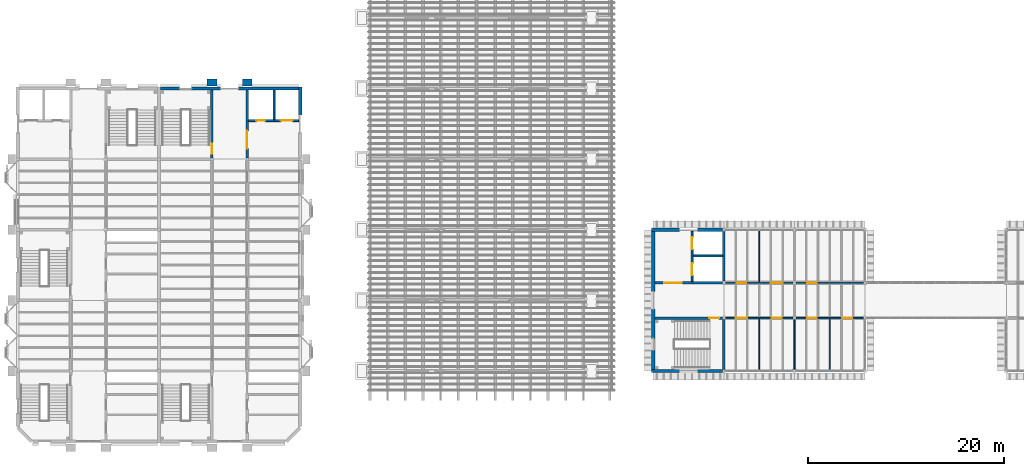
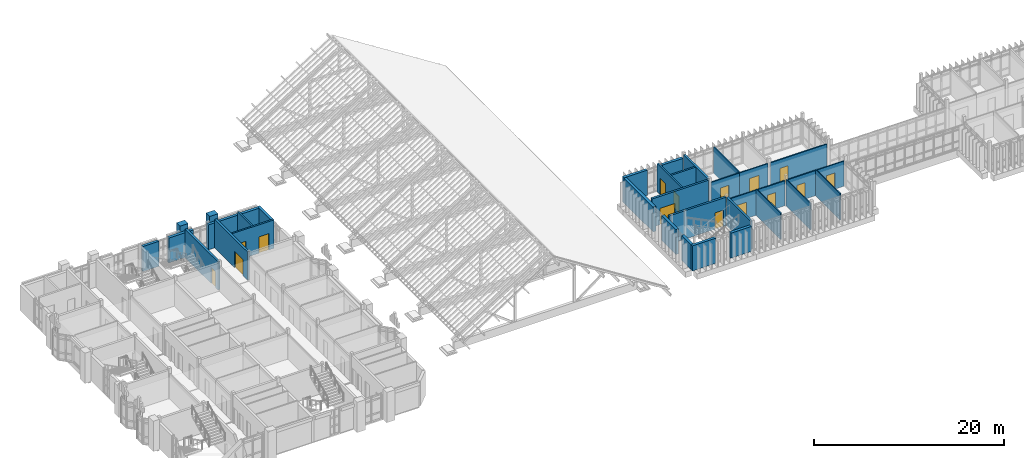
# One storey, part 44 of 71: 34 walls, 15 doors, 15 openings.
"""IFC4 building model written with IfcOpenShell, lengths in metres."""

from ifc_helpers import new_model, si_unit, direction, frame, frame_2d, origin, place, context, subcontext, project, spatial, rectangle, extrude, material, layer, layer_set, type_object, element, fill, save


model = new_model("IFC4")

# Units and contexts
model_context = context("Model", 3, precision=1e-05, world=origin(), true_north=direction((0.0, 1.0)))
body_context = subcontext(model_context, "Body", "Model", "MODEL_VIEW")
ifc_project = project(units=[si_unit("LENGTHUNIT", "METRE"), si_unit("AREAUNIT", "SQUARE_METRE"), si_unit("VOLUMEUNIT", "CUBIC_METRE"), si_unit("PLANEANGLEUNIT", "RADIAN"), si_unit("MASSUNIT", "GRAM", prefix="KILO")], contexts=[model_context])

# Site, building, storey
site_placement = place(None, origin())
site = spatial("IfcSite", under=ifc_project, at=site_placement, CompositionType="ELEMENT")
building_placement = place(site_placement, origin())
building = spatial("IfcBuilding", under=site, at=building_placement, Name="Mazhai Court Health Centre", CompositionType="ELEMENT")
storey_placement = place(building_placement, frame((0.0, 0.0, 10.199951171875)))
storey = spatial("IfcBuildingStorey", under=building, at=storey_placement, Name="L02", CompositionType="ELEMENT", Elevation=10.199951171875)

# Walls
ifc_material_1 = material(Name="Clay brick masonry", Category="masonry")
ifc_layer_1 = layer(ifc_material_1, 0.75)
ifc_layer_set_1 = layer_set([ifc_layer_1], Name="BRICK PIER 750")
wall_type_1 = type_object("IfcWallType", Name="BRICK PIER 750", PredefinedType="SOLIDWALL", material=ifc_layer_set_1)
for number, where, z_axis, x_axis, name in (
    (1, (25.5, 42.824951171875, 0.0), (0.0, 0.0, 1.0), (1.0, 0.0, 0.0), "EP-V5-L02-E54"),
    (2, (29.10009765625, 42.824951171875, 0.0), (0.0, 0.0, 1.0), (1.0, 0.0, 0.0), "EP-V5-L02-E90"),
):
    element("IfcWall", number, at=place(storey_placement, frame(where, z_axis=z_axis, x_axis=x_axis)), inside=storey, type_object=wall_type_1, Name=name, PredefinedType="SOLIDWALL", context=body_context, shape_type="SweptSolid", body=[
        extrude(rectangle(XDim=1.0, YDim=0.75, at=frame_2d((0.5, 0.0))), origin(), (0.0, 0.0, 1.0), 3.900146484375),
    ])
ifc_material_2 = material(Name="Clay brick masonry", Category="masonry")
ifc_layer_2 = layer(ifc_material_2, 0.330078125)
ifc_layer_set_2 = layer_set([ifc_layer_2], Name="BRICK WALL 330 EXTERNAL")
wall_type_2 = type_object("IfcWallType", Name="BRICK WALL 330 EXTERNAL", PredefinedType="SOLIDWALL", material=ifc_layer_set_2)
wall_1_placement = place(storey_placement, frame((35.0, 42.364990234375, 0.0), z_axis=(0.0, 0.0, 1.0), x_axis=(0.0, -1.0, 0.0)))
element("IfcWall", 3, at=wall_1_placement, inside=storey, type_object=wall_type_2, Name="EW-V5-L02-B4b", PredefinedType="SOLIDWALL", context=body_context, shape_type="SweptSolid", body=[
    extrude(rectangle(XDim=2.864990234375, YDim=0.330078125, at=frame_2d((1.4326171875, 0.0))), origin(), (0.0, 0.0, 1.0), 3.219970703125),
])
wall_2_placement = place(storey_placement, frame((20.764892578125, 42.199951171875, 0.0), z_axis=(0.0, 0.0, 1.0), x_axis=(1.0, 0.0, 0.0)))
element("IfcWall", 4, at=wall_2_placement, inside=storey, type_object=wall_type_2, Name="EW-V5-L02-Ep0", PredefinedType="SOLIDWALL", context=body_context, shape_type="SweptSolid", body=[
    extrude(rectangle(XDim=1.955078125, YDim=0.330078125, at=frame_2d((0.9775390625, 0.0))), origin(), (0.0, 0.0, 1.0), 3.199951171875),
])
wall_3_placement = place(storey_placement, frame((23.919921875, 42.199951171875, 0.0), z_axis=(0.0, 0.0, 1.0), x_axis=(1.0, 0.0, 0.0)))
element("IfcWall", 5, at=wall_3_placement, inside=storey, type_object=wall_type_2, Name="EW-V5-L02-Ep1", PredefinedType="SOLIDWALL", context=body_context, shape_type="SweptSolid", body=[
    extrude(rectangle(XDim=2.97998046875, YDim=0.330078125, at=frame_2d((1.489990234375, 0.0))), origin(), (0.0, 0.0, 1.0), 3.199951171875),
])
wall_4_placement = place(storey_placement, frame((28.699951171875, 42.199951171875, 0.0), z_axis=(0.0, 0.0, 1.0), x_axis=(1.0, 0.0, 0.0)))
element("IfcWall", 6, at=wall_4_placement, inside=storey, type_object=wall_type_2, Name="EW-V5-L02-Ep2", PredefinedType="SOLIDWALL", context=body_context, shape_type="SweptSolid", body=[
    extrude(rectangle(XDim=6.135009765625, YDim=0.330078125, at=frame_2d((3.0673828125, 0.0))), origin(), (0.0, 0.0, 1.0), 3.199951171875),
])
wall_5_placement = place(storey_placement, frame((73.699951171875, 13.39990234375, 0.0), z_axis=(0.0, 0.0, 1.0), x_axis=(-1.0, 0.0, 0.0)))
element("IfcWall", 7, at=wall_5_placement, inside=storey, type_object=wall_type_2, Name="EW-V4-L02-A0a", PredefinedType="SOLIDWALL", context=body_context, shape_type="SweptSolid", body=[
    extrude(rectangle(XDim=2.864990234375, YDim=0.330078125, at=frame_2d((1.4326171875, 0.0))), origin(), (0.0, 0.0, 1.0), 3.219970703125),
])
wall_6_placement = place(storey_placement, frame((78.0400390625, 13.39990234375, 0.0), z_axis=(0.0, 0.0, 1.0), x_axis=(-1.0, 0.0, 0.0)))
element("IfcWall", 8, at=wall_6_placement, inside=storey, type_object=wall_type_2, Name="EW-V4-L02-A0b", PredefinedType="SOLIDWALL", context=body_context, shape_type="SweptSolid", body=[
    extrude(rectangle(XDim=2.5400390625, YDim=0.330078125, at=frame_2d((1.27001953125, 0.0))), origin(), (0.0, 0.0, 1.0), 3.219970703125),
])
wall_7_placement = place(storey_placement, frame((70.8349609375, 27.800048828125, 0.0), z_axis=(0.0, 0.0, 1.0), x_axis=(1.0, 0.0, 0.0)))
element("IfcWall", 9, at=wall_7_placement, inside=storey, type_object=wall_type_2, Name="EW-V4-L02-B0a", PredefinedType="SOLIDWALL", context=body_context, shape_type="SweptSolid", body=[
    extrude(rectangle(XDim=2.864990234375, YDim=0.330078125, at=frame_2d((1.4326171875, 0.0))), origin(), (0.0, 0.0, 1.0), 3.219970703125),
])
wall_8_placement = place(storey_placement, frame((75.5, 27.800048828125, 0.0), z_axis=(0.0, 0.0, 1.0), x_axis=(1.0, 0.0, 0.0)))
element("IfcWall", 10, at=wall_8_placement, inside=storey, type_object=wall_type_2, Name="EW-V4-L02-B0b", PredefinedType="SOLIDWALL", context=body_context, shape_type="SweptSolid", body=[
    extrude(rectangle(XDim=2.5400390625, YDim=0.330078125, at=frame_2d((1.27001953125, 0.0))), origin(), (0.0, 0.0, 1.0), 3.219970703125),
])
wall_9_placement = place(storey_placement, frame((71.0, 13.56494140625, 0.0), z_axis=(0.0, 0.0, 1.0), x_axis=(0.0, 1.0, 0.0)))
element("IfcWall", 11, at=wall_9_placement, inside=storey, type_object=wall_type_2, Name="EW-V4-L02-Sp0", PredefinedType="SOLIDWALL", context=body_context, shape_type="SweptSolid", body=[
    extrude(rectangle(XDim=1.955078125, YDim=0.330078125, at=frame_2d((0.9775390625, 0.0))), origin(), (0.0, 0.0, 1.0), 3.199951171875),
])
wall_10_placement = place(storey_placement, frame((71.0, 16.719970703125, 0.0), z_axis=(0.0, 0.0, 1.0), x_axis=(0.0, 1.0, 0.0)))
element("IfcWall", 12, at=wall_10_placement, inside=storey, type_object=wall_type_2, Name="EW-V4-L02-Sp1", PredefinedType="SOLIDWALL", context=body_context, shape_type="SweptSolid", body=[
    extrude(rectangle(XDim=2.97998046875, YDim=0.330078125, at=frame_2d((1.489990234375, 0.0))), origin(), (0.0, 0.0, 1.0), 3.199951171875),
])
wall_11_placement = place(storey_placement, frame((71.0, 21.5, 0.0), z_axis=(0.0, 0.0, 1.0), x_axis=(0.0, 1.0, 0.0)))
element("IfcWall", 13, at=wall_11_placement, inside=storey, type_object=wall_type_2, Name="EW-V4-L02-Sp2", PredefinedType="SOLIDWALL", context=body_context, shape_type="SweptSolid", body=[
    extrude(rectangle(XDim=6.135009765625, YDim=0.330078125, at=frame_2d((3.0673828125, 0.0))), origin(), (0.0, 0.0, 1.0), 3.199951171875),
])
ifc_material_3 = material(Name="Gypsum plasterboard partition")
ifc_layer_3 = layer(ifc_material_3, 0.125)
ifc_layer_set_3 = layer_set([ifc_layer_3], Name="PARTITION 125 STUD EI30")
wall_type_3 = type_object("IfcWallType", Name="PARTITION 125 STUD EI30", PredefinedType="PARTITIONING", material=ifc_layer_set_3)
wall_12_placement = place(storey_placement, frame((81.800048828125, 13.56494140625, 0.0), z_axis=(0.0, 0.0, 1.0), x_axis=(0.0, 1.0, 0.0)))
element("IfcWall", 14, at=wall_12_placement, inside=storey, type_object=wall_type_3, Name="wall-V4-L02-A0-cross-1a", PredefinedType="PARTITIONING", context=body_context, shape_type="SweptSolid", body=[
    extrude(rectangle(XDim=5.16015625, YDim=0.125, at=frame_2d((2.580078125, 0.0))), origin(), (0.0, 0.0, 1.0), 3.380126953125),
])
wall_13_placement = place(storey_placement, frame((85.39990234375, 13.56494140625, 0.0), z_axis=(0.0, 0.0, 1.0), x_axis=(0.0, 1.0, 0.0)))
element("IfcWall", 15, at=wall_13_placement, inside=storey, type_object=wall_type_3, Name="wall-V4-L02-A0-cross-2a", PredefinedType="PARTITIONING", context=body_context, shape_type="SweptSolid", body=[
    extrude(rectangle(XDim=5.074951171875, YDim=0.125, at=frame_2d((2.53759765625, 0.0))), origin(), (0.0, 0.0, 1.0), 3.380126953125),
])
wall_14_placement = place(storey_placement, frame((89.0, 13.56494140625, 0.0), z_axis=(0.0, 0.0, 1.0), x_axis=(0.0, 1.0, 0.0)))
element("IfcWall", 16, at=wall_14_placement, inside=storey, type_object=wall_type_3, Name="wall-V4-L02-A0-cross-3a", PredefinedType="PARTITIONING", context=body_context, shape_type="SweptSolid", body=[
    extrude(rectangle(XDim=5.16015625, YDim=0.125, at=frame_2d((2.580078125, 0.0))), origin(), (0.0, 0.0, 1.0), 3.380126953125),
])
wall_15_placement = place(storey_placement, frame((81.800048828125, 27.635009765625, 0.0), z_axis=(0.0, 0.0, 1.0), x_axis=(0.0, -1.0, 0.0)))
element("IfcWall", 17, at=wall_15_placement, inside=storey, type_object=wall_type_3, Name="wall-V4-L02-B0-cross-1a", PredefinedType="PARTITIONING", context=body_context, shape_type="SweptSolid", body=[
    extrude(rectangle(XDim=5.159912109375, YDim=0.125, at=frame_2d((2.580078125, 0.0))), origin(), (0.0, 0.0, 1.0), 3.380126953125),
])

# Wall, opening, door
ifc_material_4 = material(Name="Gypsum plasterboard partition")
ifc_layer_4 = layer(ifc_material_4, 0.14990234375)
ifc_layer_set_4 = layer_set([ifc_layer_4], Name="PARTITION 150 CORRIDOR EI60")
wall_type_4 = type_object("IfcWallType", Name="PARTITION 150 CORRIDOR EI60", PredefinedType="PARTITIONING", material=ifc_layer_set_4)
wall_16_placement = place(storey_placement, frame((81.800048828125, 18.800048828125, 0.0), z_axis=(0.0, 0.0, 1.0), x_axis=(-1.0, 0.0, 0.0)))
wall_16 = element("IfcWall", 18, at=wall_16_placement, inside=storey, type_object=wall_type_4, Name="wall-V4-L02-A0-corr-0a", PredefinedType="PARTITIONING", context=body_context, shape_type="SweptSolid", body=[
    extrude(rectangle(XDim=3.43994140625, YDim=0.14990234375, at=frame_2d((1.719970703125, 0.0))), origin(), (0.0, 0.0, 1.0), 3.219970703125),
])
opening_1_placement = place(wall_16_placement, frame((1.199951171875, 0.0, 0.0)))
opening_1 = element("IfcOpeningElement", 19, at=opening_1_placement, cuts=wall_16, Name="Opening D-L02-038", PredefinedType="OPENING", context=body_context, shape_type="SweptSolid", body=[
    extrude(rectangle(XDim=1.199951171875, YDim=2.10009765625, at=frame_2d((0.60009765625, 1.050048828125))), frame((0.0, 0.0849609375, 0.0), z_axis=(0.0, -1.0, 0.0), x_axis=(1.0, 0.0, 0.0)), (0.0, 0.0, 1.0), 0.169921875),
])
ifc_material_5 = material(Name="Hardwood door leaf", Category="wood")
door_type_1 = type_object("IfcDoorType", Name="DOOR 1200x2100 FD30S WIDE SINGLE", OperationType="NOTDEFINED", PredefinedType="DOOR", material=ifc_material_5)
door_1_placement = place(opening_1_placement, origin())
door_1 = element("IfcDoor", 20, at=door_1_placement, inside=storey, type_object=door_type_1, Name="door-V4-L02-A0-cardiology-clinic", OperationType="SINGLE_SWING_RIGHT", OverallHeight=2.10009765625, OverallWidth=1.199951171875, PredefinedType="DOOR", context=body_context, shape_type="SweptSolid", body=[
    extrude(rectangle(XDim=1.199951171875, YDim=2.10009765625, at=frame_2d((0.60009765625, 1.050048828125))), frame((0.0, 0.02490234375, 0.0), z_axis=(0.0, -1.0, 0.0), x_axis=(1.0, 0.0, 0.0)), (0.0, 0.0, 1.0), 0.050048828125),
])
fill(opening_1, door_1)

wall_17_placement = place(storey_placement, frame((85.239990234375, 18.800048828125, 0.0), z_axis=(0.0, 0.0, 1.0), x_axis=(-1.0, 0.0, 0.0)))
wall_17 = element("IfcWall", 21, at=wall_17_placement, inside=storey, type_object=wall_type_4, Name="wall-V4-L02-A0-corr-1a", PredefinedType="PARTITIONING", context=body_context, shape_type="SweptSolid", body=[
    extrude(rectangle(XDim=3.43994140625, YDim=0.14990234375, at=frame_2d((1.719970703125, 0.0))), origin(), (0.0, 0.0, 1.0), 3.219970703125),
])
opening_2_placement = place(wall_17_placement, frame((1.139892578125, 0.0, 0.0)))
opening_2 = element("IfcOpeningElement", 22, at=opening_2_placement, cuts=wall_17, Name="Opening D-L02-040", PredefinedType="OPENING", context=body_context, shape_type="SweptSolid", body=[
    extrude(rectangle(XDim=1.0, YDim=2.10009765625, at=frame_2d((0.5, 1.050048828125))), frame((0.0, 0.0849609375, 0.0), z_axis=(0.0, -1.0, 0.0), x_axis=(1.0, 0.0, 0.0)), (0.0, 0.0, 1.0), 0.169921875),
])
ifc_material_6 = material(Name="Hardwood door leaf", Category="wood")
door_type_2 = type_object("IfcDoorType", Name="DOOR 1000x2100 FD30S SINGLE", OperationType="NOTDEFINED", PredefinedType="DOOR", material=ifc_material_6)
door_2_placement = place(opening_2_placement, origin())
door_2 = element("IfcDoor", 23, at=door_2_placement, inside=storey, type_object=door_type_2, Name="door-V4-L02-A0-diabetology-clinic", OperationType="SINGLE_SWING_LEFT", OverallHeight=2.10009765625, OverallWidth=1.0, PredefinedType="DOOR", context=body_context, shape_type="SweptSolid", body=[
    extrude(rectangle(XDim=1.0, YDim=2.10009765625, at=frame_2d((0.5, 1.050048828125))), frame((0.0, 0.02490234375, 0.0), z_axis=(0.0, -1.0, 0.0), x_axis=(1.0, 0.0, 0.0)), (0.0, 0.0, 1.0), 0.050048828125),
])
fill(opening_2, door_2)

wall_18_placement = place(storey_placement, frame((89.0, 18.800048828125, 0.0), z_axis=(0.0, 0.0, 1.0), x_axis=(-1.0, 0.0, 0.0)))
wall_18 = element("IfcWall", 24, at=wall_18_placement, inside=storey, type_object=wall_type_4, Name="wall-V4-L02-A0-corr-2a", PredefinedType="PARTITIONING", context=body_context, shape_type="SweptSolid", body=[
    extrude(rectangle(XDim=3.43994140625, YDim=0.14990234375, at=frame_2d((1.719970703125, 0.0))), origin(), (0.0, 0.0, 1.0), 3.219970703125),
])
opening_3_placement = place(wall_18_placement, frame((1.300048828125, 0.0, 0.0)))
opening_3 = element("IfcOpeningElement", 25, at=opening_3_placement, cuts=wall_18, Name="Opening D-L02-042", PredefinedType="OPENING", context=body_context, shape_type="SweptSolid", body=[
    extrude(rectangle(XDim=1.0, YDim=2.10009765625, at=frame_2d((0.5, 1.050048828125))), frame((0.0, 0.0849609375, 0.0), z_axis=(0.0, -1.0, 0.0), x_axis=(1.0, 0.0, 0.0)), (0.0, 0.0, 1.0), 0.169921875),
])
door_3_placement = place(opening_3_placement, origin())
door_3 = element("IfcDoor", 26, at=door_3_placement, inside=storey, type_object=door_type_2, Name="door-V4-L02-A0-ent-clinic", OperationType="SINGLE_SWING_RIGHT", OverallHeight=2.10009765625, OverallWidth=1.0, PredefinedType="DOOR", context=body_context, shape_type="SweptSolid", body=[
    extrude(rectangle(XDim=1.0, YDim=2.10009765625, at=frame_2d((0.5, 1.050048828125))), frame((0.0, 0.02490234375, 0.0), z_axis=(0.0, -1.0, 0.0), x_axis=(1.0, 0.0, 0.0)), (0.0, 0.0, 1.0), 0.050048828125),
])
fill(opening_3, door_3)

wall_19_placement = place(storey_placement, frame((92.43505859375, 18.800048828125, 0.0), z_axis=(0.0, 0.0, 1.0), x_axis=(-1.0, 0.0, 0.0)))
wall_19 = element("IfcWall", 27, at=wall_19_placement, inside=storey, type_object=wall_type_4, Name="wall-V4-L02-A0-corr-3a", PredefinedType="PARTITIONING", context=body_context, shape_type="SweptSolid", body=[
    extrude(rectangle(XDim=3.43505859375, YDim=0.14990234375, at=frame_2d((1.717529296875, 0.0))), origin(), (0.0, 0.0, 1.0), 3.219970703125),
])
opening_4_placement = place(wall_19_placement, frame((1.135009765625, 0.0, 0.0)))
opening_4 = element("IfcOpeningElement", 28, at=opening_4_placement, cuts=wall_19, Name="Opening D-L02-044", PredefinedType="OPENING", context=body_context, shape_type="SweptSolid", body=[
    extrude(rectangle(XDim=1.0, YDim=2.10009765625, at=frame_2d((0.5, 1.050048828125))), frame((0.0, 0.0849609375, 0.0), z_axis=(0.0, -1.0, 0.0), x_axis=(1.0, 0.0, 0.0)), (0.0, 0.0, 1.0), 0.169921875),
])
door_4_placement = place(opening_4_placement, origin())
door_4 = element("IfcDoor", 29, at=door_4_placement, inside=storey, type_object=door_type_2, Name="door-V4-L02-A0-audiology-room", OperationType="SINGLE_SWING_LEFT", OverallHeight=2.10009765625, OverallWidth=1.0, PredefinedType="DOOR", context=body_context, shape_type="SweptSolid", body=[
    extrude(rectangle(XDim=1.0, YDim=2.10009765625, at=frame_2d((0.5, 1.050048828125))), frame((0.0, 0.02490234375, 0.0), z_axis=(0.0, -1.0, 0.0), x_axis=(1.0, 0.0, 0.0)), (0.0, 0.0, 1.0), 0.050048828125),
])
fill(opening_4, door_4)

wall_20_placement = place(storey_placement, frame((78.360107421875, 22.39990234375, 0.0), z_axis=(0.0, 0.0, 1.0), x_axis=(1.0, 0.0, 0.0)))
wall_20 = element("IfcWall", 30, at=wall_20_placement, inside=storey, type_object=wall_type_4, Name="wall-V4-L02-B0-corr-0a", PredefinedType="PARTITIONING", context=body_context, shape_type="SweptSolid", body=[
    extrude(rectangle(XDim=3.43994140625, YDim=0.14990234375, at=frame_2d((1.719970703125, 0.0))), origin(), (0.0, 0.0, 1.0), 3.219970703125),
])
opening_5_placement = place(wall_20_placement, frame((1.139892578125, 0.0, 0.0)))
opening_5 = element("IfcOpeningElement", 31, at=opening_5_placement, cuts=wall_20, Name="Opening D-L02-039", PredefinedType="OPENING", context=body_context, shape_type="SweptSolid", body=[
    extrude(rectangle(XDim=1.0, YDim=2.10009765625, at=frame_2d((0.5, 1.050048828125))), frame((0.0, 0.0849609375, 0.0), z_axis=(0.0, -1.0, 0.0), x_axis=(1.0, 0.0, 0.0)), (0.0, 0.0, 1.0), 0.169921875),
])
door_5_placement = place(opening_5_placement, origin())
door_5 = element("IfcDoor", 32, at=door_5_placement, inside=storey, type_object=door_type_2, Name="door-V4-L02-B0-gastroenterology-clinic", OperationType="SINGLE_SWING_LEFT", OverallHeight=2.10009765625, OverallWidth=1.0, PredefinedType="DOOR", context=body_context, shape_type="SweptSolid", body=[
    extrude(rectangle(XDim=1.0, YDim=2.10009765625, at=frame_2d((0.5, 1.050048828125))), frame((0.0, 0.02490234375, 0.0), z_axis=(0.0, -1.0, 0.0), x_axis=(1.0, 0.0, 0.0)), (0.0, 0.0, 1.0), 0.050048828125),
])
fill(opening_5, door_5)

wall_21_placement = place(storey_placement, frame((81.800048828125, 22.39990234375, 0.0), z_axis=(0.0, 0.0, 1.0), x_axis=(1.0, 0.0, 0.0)))
wall_21 = element("IfcWall", 33, at=wall_21_placement, inside=storey, type_object=wall_type_4, Name="wall-V4-L02-B0-corr-1a", PredefinedType="PARTITIONING", context=body_context, shape_type="SweptSolid", body=[
    extrude(rectangle(XDim=3.43994140625, YDim=0.14990234375, at=frame_2d((1.719970703125, 0.0))), origin(), (0.0, 0.0, 1.0), 3.219970703125),
])
opening_6_placement = place(wall_21_placement, frame((1.199951171875, 0.0, 0.0)))
opening_6 = element("IfcOpeningElement", 34, at=opening_6_placement, cuts=wall_21, Name="Opening D-L02-041", PredefinedType="OPENING", context=body_context, shape_type="SweptSolid", body=[
    extrude(rectangle(XDim=1.199951171875, YDim=2.10009765625, at=frame_2d((0.60009765625, 1.050048828125))), frame((0.0, 0.0849609375, 0.0), z_axis=(0.0, -1.0, 0.0), x_axis=(1.0, 0.0, 0.0)), (0.0, 0.0, 1.0), 0.169921875),
])
door_6_placement = place(opening_6_placement, origin())
door_6 = element("IfcDoor", 35, at=door_6_placement, inside=storey, type_object=door_type_1, Name="door-V4-L02-B0-minor-procedure-room", OperationType="SINGLE_SWING_RIGHT", OverallHeight=2.10009765625, OverallWidth=1.199951171875, PredefinedType="DOOR", context=body_context, shape_type="SweptSolid", body=[
    extrude(rectangle(XDim=1.199951171875, YDim=2.10009765625, at=frame_2d((0.60009765625, 1.050048828125))), frame((0.0, 0.02490234375, 0.0), z_axis=(0.0, -1.0, 0.0), x_axis=(1.0, 0.0, 0.0)), (0.0, 0.0, 1.0), 0.050048828125),
])
fill(opening_6, door_6)

wall_22_placement = place(storey_placement, frame((85.56005859375, 22.39990234375, 0.0), z_axis=(0.0, 0.0, 1.0), x_axis=(1.0, 0.0, 0.0)))
wall_22 = element("IfcWall", 36, at=wall_22_placement, inside=storey, type_object=wall_type_4, Name="wall-V4-L02-B0-corr-2a", PredefinedType="PARTITIONING", context=body_context, shape_type="SweptSolid", body=[
    extrude(rectangle(XDim=6.875, YDim=0.14990234375, at=frame_2d((3.4375, 0.0))), origin(), (0.0, 0.0, 1.0), 3.219970703125),
])
opening_7_placement = place(wall_22_placement, frame((1.139892578125, 0.0, 0.0)))
opening_7 = element("IfcOpeningElement", 37, at=opening_7_placement, cuts=wall_22, Name="Opening D-L02-043", PredefinedType="OPENING", context=body_context, shape_type="SweptSolid", body=[
    extrude(rectangle(XDim=1.0, YDim=2.10009765625, at=frame_2d((0.5, 1.050048828125))), frame((0.0, 0.0849609375, 0.0), z_axis=(0.0, -1.0, 0.0), x_axis=(1.0, 0.0, 0.0)), (0.0, 0.0, 1.0), 0.169921875),
])
door_7_placement = place(opening_7_placement, origin())
door_7 = element("IfcDoor", 38, at=door_7_placement, inside=storey, type_object=door_type_2, Name="door-V4-L02-B0-specialist-nurse-base", OperationType="SINGLE_SWING_LEFT", OverallHeight=2.10009765625, OverallWidth=1.0, PredefinedType="DOOR", context=body_context, shape_type="SweptSolid", body=[
    extrude(rectangle(XDim=1.0, YDim=2.10009765625, at=frame_2d((0.5, 1.050048828125))), frame((0.0, 0.02490234375, 0.0), z_axis=(0.0, -1.0, 0.0), x_axis=(1.0, 0.0, 0.0)), (0.0, 0.0, 1.0), 0.050048828125),
])
fill(opening_7, door_7)

ifc_material_7 = material(Name="Concrete M40", Category="concrete")
ifc_layer_5 = layer(ifc_material_7, 0.25)
ifc_layer_set_5 = layer_set([ifc_layer_5], Name="RC CORE WALL 250 M40")
wall_type_5 = type_object("IfcWallType", Name="RC CORE WALL 250 M40", PredefinedType="SHEAR", material=ifc_layer_set_5)
wall_23_placement = place(storey_placement, frame((26.0, 35.139892578125, 0.0), z_axis=(0.0, 0.0, 1.0), x_axis=(0.0, 1.0, 0.0)))
wall_23 = element("IfcWall", 39, at=wall_23_placement, inside=storey, type_object=wall_type_5, Name="core-C5-w-stair-corr-L02", PredefinedType="SHEAR", context=body_context, shape_type="SweptSolid", body=[
    extrude(rectangle(XDim=6.89501953125, YDim=0.25, at=frame_2d((3.447509765625, 0.0))), origin(), (0.0, 0.0, 1.0), 3.650146484375),
])
opening_8_placement = place(wall_23_placement, frame((0.43505859375, 0.0, 0.0)))
opening_8 = element("IfcOpeningElement", 40, at=opening_8_placement, cuts=wall_23, Name="Opening D-L02-024", PredefinedType="OPENING", context=body_context, shape_type="SweptSolid", body=[
    extrude(rectangle(XDim=1.0, YDim=2.10009765625, at=frame_2d((0.5, 1.050048828125))), frame((0.0, 0.135009765625, 0.0), z_axis=(0.0, -1.0, 0.0), x_axis=(1.0, 0.0, 0.0)), (0.0, 0.0, 1.0), 0.27001953125),
])
ifc_material_8 = material(Name="Steel fire door leaf", Category="steel")
door_type_3 = type_object("IfcDoorType", Name="FD120S STAIR DOOR 1000x2100", OperationType="SINGLE_SWING_LEFT", PredefinedType="DOOR", material=ifc_material_8)
door_8_placement = place(opening_8_placement, origin())
door_8 = element("IfcDoor", 41, at=door_8_placement, inside=storey, type_object=door_type_3, Name="Stair 5 door L02", OperationType="SINGLE_SWING_LEFT", OverallHeight=2.10009765625, OverallWidth=1.0, PredefinedType="DOOR", context=body_context, shape_type="SweptSolid", body=[
    extrude(rectangle(XDim=1.0, YDim=2.10009765625, at=frame_2d((0.5, 1.050048828125))), frame((0.0, 0.02490234375, 0.0), z_axis=(0.0, -1.0, 0.0), x_axis=(1.0, 0.0, 0.0)), (0.0, 0.0, 1.0), 0.050048828125),
])
fill(opening_8, door_8)

wall_24_placement = place(storey_placement, frame((29.60009765625, 35.139892578125, 0.0), z_axis=(0.0, 0.0, 1.0), x_axis=(0.0, 1.0, 0.0)))
wall_24 = element("IfcWall", 42, at=wall_24_placement, inside=storey, type_object=wall_type_5, Name="core-C5-w-other-corr-L02", PredefinedType="SHEAR", context=body_context, shape_type="SweptSolid", body=[
    extrude(rectangle(XDim=6.89501953125, YDim=0.25, at=frame_2d((3.447509765625, 0.0))), origin(), (0.0, 0.0, 1.0), 3.650146484375),
])
opening_9_placement = place(wall_24_placement, frame((0.93994140625, 0.0, 0.0)))
opening_9 = element("IfcOpeningElement", 43, at=opening_9_placement, cuts=wall_24, Name="Opening D-L02-035", PredefinedType="OPENING", context=body_context, shape_type="SweptSolid", body=[
    extrude(rectangle(XDim=1.800048828125, YDim=2.10009765625, at=frame_2d((0.89990234375, 1.050048828125))), frame((0.0, 0.135009765625, 0.0), z_axis=(0.0, -1.0, 0.0), x_axis=(1.0, 0.0, 0.0)), (0.0, 0.0, 1.0), 0.27001953125),
])
ifc_material_9 = material(Name="Steel fire door leaf", Category="steel")
door_type_4 = type_object("IfcDoorType", Name="FD60S LIFT LOBBY DOOR 1800x2100", OperationType="DOUBLE_DOOR_SINGLE_SWING", PredefinedType="DOOR", material=ifc_material_9)
door_9_placement = place(opening_9_placement, origin())
door_9 = element("IfcDoor", 44, at=door_9_placement, inside=storey, type_object=door_type_4, Name="Lift lobby door L02", OperationType="DOUBLE_DOOR_SINGLE_SWING", OverallHeight=2.10009765625, OverallWidth=1.800048828125, PredefinedType="DOOR", context=body_context, shape_type="SweptSolid", body=[
    extrude(rectangle(XDim=1.800048828125, YDim=2.10009765625, at=frame_2d((0.89990234375, 1.050048828125))), frame((0.0, 0.02490234375, 0.0), z_axis=(0.0, -1.0, 0.0), x_axis=(1.0, 0.0, 0.0)), (0.0, 0.0, 1.0), 0.050048828125),
])
fill(opening_9, door_9)

wall_25_placement = place(storey_placement, frame((71.1650390625, 18.800048828125, 0.0), z_axis=(0.0, 0.0, 1.0), x_axis=(1.0, 0.0, 0.0)))
wall_25 = element("IfcWall", 45, at=wall_25_placement, inside=storey, type_object=wall_type_5, Name="core-C6-w-stair-corr-L02", PredefinedType="SHEAR", context=body_context, shape_type="SweptSolid", body=[
    extrude(rectangle(XDim=6.875, YDim=0.25, at=frame_2d((3.4375, 0.0))), origin(), (0.0, 0.0, 1.0), 3.650146484375),
])
opening_10_placement = place(wall_25_placement, frame((5.56005859375, 0.0, 0.0)))
opening_10 = element("IfcOpeningElement", 46, at=opening_10_placement, cuts=wall_25, Name="Opening D-L02-037", PredefinedType="OPENING", context=body_context, shape_type="SweptSolid", body=[
    extrude(rectangle(XDim=1.0, YDim=2.10009765625, at=frame_2d((0.5, 1.050048828125))), frame((0.0, 0.135009765625, 0.0), z_axis=(0.0, -1.0, 0.0), x_axis=(1.0, 0.0, 0.0)), (0.0, 0.0, 1.0), 0.27001953125),
])
door_10_placement = place(opening_10_placement, origin())
door_10 = element("IfcDoor", 47, at=door_10_placement, inside=storey, type_object=door_type_3, Name="Stair 6 door L02", OperationType="SINGLE_SWING_RIGHT", OverallHeight=2.10009765625, OverallWidth=1.0, PredefinedType="DOOR", context=body_context, shape_type="SweptSolid", body=[
    extrude(rectangle(XDim=1.0, YDim=2.10009765625, at=frame_2d((0.5, 1.050048828125))), frame((0.0, 0.02490234375, 0.0), z_axis=(0.0, -1.0, 0.0), x_axis=(1.0, 0.0, 0.0)), (0.0, 0.0, 1.0), 0.050048828125),
])
fill(opening_10, door_10)

# Wall
wall_26_placement = place(storey_placement, frame((78.199951171875, 13.56005859375, 0.0), z_axis=(0.0, 0.0, 1.0), x_axis=(0.0, 1.0, 0.0)))
element("IfcWall", 48, at=wall_26_placement, inside=storey, type_object=wall_type_5, Name="core-C6-w-stair-line0-L02", PredefinedType="SHEAR", context=body_context, shape_type="SweptSolid", body=[
    extrude(rectangle(XDim=5.079833984375, YDim=0.25, at=frame_2d((2.5400390625, 0.0))), origin(), (0.0, 0.0, 1.0), 3.650146484375),
])

# Wall, opening, door
wall_27_placement = place(storey_placement, frame((71.1650390625, 22.39990234375, 0.0), z_axis=(0.0, 0.0, 1.0), x_axis=(1.0, 0.0, 0.0)))
wall_27 = element("IfcWall", 49, at=wall_27_placement, inside=storey, type_object=wall_type_5, Name="core-C6-w-other-corr-L02", PredefinedType="SHEAR", context=body_context, shape_type="SweptSolid", body=[
    extrude(rectangle(XDim=6.875, YDim=0.25, at=frame_2d((3.4375, 0.0))), origin(), (0.0, 0.0, 1.0), 3.650146484375),
])
opening_11_placement = place(wall_27_placement, frame((0.955078125, 0.0, 0.0)))
opening_11 = element("IfcOpeningElement", 50, at=opening_11_placement, cuts=wall_27, Name="Opening D-L02-036", PredefinedType="OPENING", context=body_context, shape_type="SweptSolid", body=[
    extrude(rectangle(XDim=1.800048828125, YDim=2.10009765625, at=frame_2d((0.89990234375, 1.050048828125))), frame((0.0, 0.135009765625, 0.0), z_axis=(0.0, -1.0, 0.0), x_axis=(1.0, 0.0, 0.0)), (0.0, 0.0, 1.0), 0.27001953125),
])
door_11_placement = place(opening_11_placement, origin())
door_11 = element("IfcDoor", 51, at=door_11_placement, inside=storey, type_object=door_type_4, Name="Lift lobby door L02", OperationType="DOUBLE_DOOR_SINGLE_SWING", OverallHeight=2.10009765625, OverallWidth=1.800048828125, PredefinedType="DOOR", context=body_context, shape_type="SweptSolid", body=[
    extrude(rectangle(XDim=1.800048828125, YDim=2.10009765625, at=frame_2d((0.89990234375, 1.050048828125))), frame((0.0, 0.02490234375, 0.0), z_axis=(0.0, -1.0, 0.0), x_axis=(1.0, 0.0, 0.0)), (0.0, 0.0, 1.0), 0.050048828125),
])
fill(opening_11, door_11)

# Wall
wall_28_placement = place(storey_placement, frame((78.199951171875, 22.56005859375, 0.0), z_axis=(0.0, 0.0, 1.0), x_axis=(0.0, 1.0, 0.0)))
element("IfcWall", 52, at=wall_28_placement, inside=storey, type_object=wall_type_5, Name="core-C6-w-other-line0-L02", PredefinedType="SHEAR", context=body_context, shape_type="SweptSolid", body=[
    extrude(rectangle(XDim=5.079833984375, YDim=0.25, at=frame_2d((2.5400390625, 0.0))), origin(), (0.0, 0.0, 1.0), 3.650146484375),
])

# Wall, openings, doors
ifc_material_10 = material(Name="Concrete M40", Category="concrete")
ifc_layer_6 = layer(ifc_material_10, 0.199951171875)
ifc_layer_set_6 = layer_set([ifc_layer_6], Name="RC SHAFT WALL 200 M40")
wall_type_6 = type_object("IfcWallType", Name="RC SHAFT WALL 200 M40", PredefinedType="SHEAR", material=ifc_layer_set_6)
wall_29_placement = place(storey_placement, frame((29.72509765625, 38.93505859375, 0.0), z_axis=(0.0, 0.0, 1.0), x_axis=(1.0, 0.0, 0.0)))
wall_29 = element("IfcWall", 53, at=wall_29_placement, inside=storey, type_object=wall_type_6, Name="core-C5-w-front-L02", PredefinedType="SHEAR", context=body_context, shape_type="SweptSolid", body=[
    extrude(rectangle(XDim=5.10986328125, YDim=0.199951171875, at=frame_2d((2.554931640625, 0.0))), origin(), (0.0, 0.0, 1.0), 3.650146484375),
])
opening_12_placement = place(wall_29_placement, frame((3.31005859375, 0.0, 0.0)))
opening_12 = element("IfcOpeningElement", 54, at=opening_12_placement, cuts=wall_29, Name="Opening LD3-L02", PredefinedType="OPENING", context=body_context, shape_type="SweptSolid", body=[
    extrude(rectangle(XDim=1.199951171875, YDim=2.10009765625, at=frame_2d((0.60009765625, 1.050048828125))), frame((0.0, 0.10986328125, 0.0), z_axis=(0.0, -1.0, 0.0), x_axis=(1.0, 0.0, 0.0)), (0.0, 0.0, 1.0), 0.219970703125),
])
opening_13_placement = place(wall_29_placement, frame((0.804931640625, 0.0, 0.0)))
opening_13 = element("IfcOpeningElement", 55, at=opening_13_placement, cuts=wall_29, Name="Opening LD4-L02", PredefinedType="OPENING", context=body_context, shape_type="SweptSolid", body=[
    extrude(rectangle(XDim=0.89990234375, YDim=2.10009765625, at=frame_2d((0.449951171875, 1.050048828125))), frame((0.0, 0.10986328125, 0.0), z_axis=(0.0, -1.0, 0.0), x_axis=(1.0, 0.0, 0.0)), (0.0, 0.0, 1.0), 0.219970703125),
])
ifc_material_11 = material(Name="Stainless steel lift door", Category="steel")
door_type_5 = type_object("IfcDoorType", Name="LIFT LANDING DOOR 1200x2100", OperationType="DOUBLE_DOOR_SLIDING", PredefinedType="DOOR", material=ifc_material_11)
door_12_placement = place(opening_12_placement, origin())
door_12 = element("IfcDoor", 56, at=door_12_placement, inside=storey, type_object=door_type_5, Name="Landing door LD3 L02", OperationType="DOUBLE_DOOR_SLIDING", OverallHeight=2.10009765625, OverallWidth=1.199951171875, PredefinedType="DOOR", context=body_context, shape_type="SweptSolid", body=[
    extrude(rectangle(XDim=1.199951171875, YDim=2.10009765625, at=frame_2d((0.60009765625, 1.050048828125))), frame((0.0, 0.02490234375, 0.0), z_axis=(0.0, -1.0, 0.0), x_axis=(1.0, 0.0, 0.0)), (0.0, 0.0, 1.0), 0.050048828125),
])
fill(opening_12, door_12)
ifc_material_12 = material(Name="Stainless steel lift door", Category="steel")
door_type_6 = type_object("IfcDoorType", Name="LIFT LANDING DOOR 900x2100", OperationType="DOUBLE_DOOR_SLIDING", PredefinedType="DOOR", material=ifc_material_12)
door_13_placement = place(opening_13_placement, origin())
door_13 = element("IfcDoor", 57, at=door_13_placement, inside=storey, type_object=door_type_6, Name="Landing door LD4 L02", OperationType="DOUBLE_DOOR_SLIDING", OverallHeight=2.10009765625, OverallWidth=0.89990234375, PredefinedType="DOOR", context=body_context, shape_type="SweptSolid", body=[
    extrude(rectangle(XDim=0.89990234375, YDim=2.10009765625, at=frame_2d((0.449951171875, 1.050048828125))), frame((0.0, 0.02490234375, 0.0), z_axis=(0.0, -1.0, 0.0), x_axis=(1.0, 0.0, 0.0)), (0.0, 0.0, 1.0), 0.050048828125),
])
fill(opening_13, door_13)

# Wall
wall_30_placement = place(storey_placement, frame((32.3349609375, 42.034912109375, 0.0), z_axis=(0.0, 0.0, 1.0), x_axis=(0.0, -1.0, 0.0)))
element("IfcWall", 58, at=wall_30_placement, inside=storey, type_object=wall_type_6, Name="core-C5-w-divider0-L02", PredefinedType="SHEAR", context=body_context, shape_type="SweptSolid", body=[
    extrude(rectangle(XDim=3.0, YDim=0.199951171875, at=frame_2d((1.5, 0.0))), origin(), (0.0, 0.0, 1.0), 3.650146484375),
])

# Wall, openings, doors
wall_31_placement = place(storey_placement, frame((74.97509765625, 22.52490234375, 0.0), z_axis=(0.0, 0.0, 1.0), x_axis=(0.0, 1.0, 0.0)))
wall_31 = element("IfcWall", 59, at=wall_31_placement, inside=storey, type_object=wall_type_6, Name="core-C6-w-front-L02", PredefinedType="SHEAR", context=body_context, shape_type="SweptSolid", body=[
    extrude(rectangle(XDim=5.110107421875, YDim=0.199951171875, at=frame_2d((2.55517578125, 0.0))), origin(), (0.0, 0.0, 1.0), 3.650146484375),
])
opening_14_placement = place(wall_31_placement, frame((3.31005859375, 0.0, 0.0)))
opening_14 = element("IfcOpeningElement", 60, at=opening_14_placement, cuts=wall_31, Name="Opening LD5-L02", PredefinedType="OPENING", context=body_context, shape_type="SweptSolid", body=[
    extrude(rectangle(XDim=1.199951171875, YDim=2.10009765625, at=frame_2d((0.60009765625, 1.050048828125))), frame((0.0, 0.10986328125, 0.0), z_axis=(0.0, -1.0, 0.0), x_axis=(1.0, 0.0, 0.0)), (0.0, 0.0, 1.0), 0.219970703125),
])
opening_15_placement = place(wall_31_placement, frame((0.655029296875, 0.0, 0.0)))
opening_15 = element("IfcOpeningElement", 61, at=opening_15_placement, cuts=wall_31, Name="Opening LD6-L02", PredefinedType="OPENING", context=body_context, shape_type="SweptSolid", body=[
    extrude(rectangle(XDim=1.199951171875, YDim=2.10009765625, at=frame_2d((0.60009765625, 1.050048828125))), frame((0.0, 0.10986328125, 0.0), z_axis=(0.0, -1.0, 0.0), x_axis=(1.0, 0.0, 0.0)), (0.0, 0.0, 1.0), 0.219970703125),
])
door_14_placement = place(opening_14_placement, origin())
door_14 = element("IfcDoor", 62, at=door_14_placement, inside=storey, type_object=door_type_5, Name="Landing door LD5 L02", OperationType="DOUBLE_DOOR_SLIDING", OverallHeight=2.10009765625, OverallWidth=1.199951171875, PredefinedType="DOOR", context=body_context, shape_type="SweptSolid", body=[
    extrude(rectangle(XDim=1.199951171875, YDim=2.10009765625, at=frame_2d((0.60009765625, 1.050048828125))), frame((0.0, 0.02490234375, 0.0), z_axis=(0.0, -1.0, 0.0), x_axis=(1.0, 0.0, 0.0)), (0.0, 0.0, 1.0), 0.050048828125),
])
fill(opening_14, door_14)
door_15_placement = place(opening_15_placement, origin())
door_15 = element("IfcDoor", 63, at=door_15_placement, inside=storey, type_object=door_type_5, Name="Landing door LD6 L02", OperationType="DOUBLE_DOOR_SLIDING", OverallHeight=2.10009765625, OverallWidth=1.199951171875, PredefinedType="DOOR", context=body_context, shape_type="SweptSolid", body=[
    extrude(rectangle(XDim=1.199951171875, YDim=2.10009765625, at=frame_2d((0.60009765625, 1.050048828125))), frame((0.0, 0.02490234375, 0.0), z_axis=(0.0, -1.0, 0.0), x_axis=(1.0, 0.0, 0.0)), (0.0, 0.0, 1.0), 0.050048828125),
])
fill(opening_15, door_15)

# Wall
wall_32_placement = place(storey_placement, frame((78.074951171875, 25.135009765625, 0.0), z_axis=(0.0, 0.0, 1.0), x_axis=(-1.0, 0.0, 0.0)))
element("IfcWall", 64, at=wall_32_placement, inside=storey, type_object=wall_type_6, Name="core-C6-w-divider0-L02", PredefinedType="SHEAR", context=body_context, shape_type="SweptSolid", body=[
    extrude(rectangle(XDim=3.0, YDim=0.199951171875, at=frame_2d((1.5, 0.0))), origin(), (0.0, 0.0, 1.0), 3.650146484375),
])

save(model, "model.ifc")
